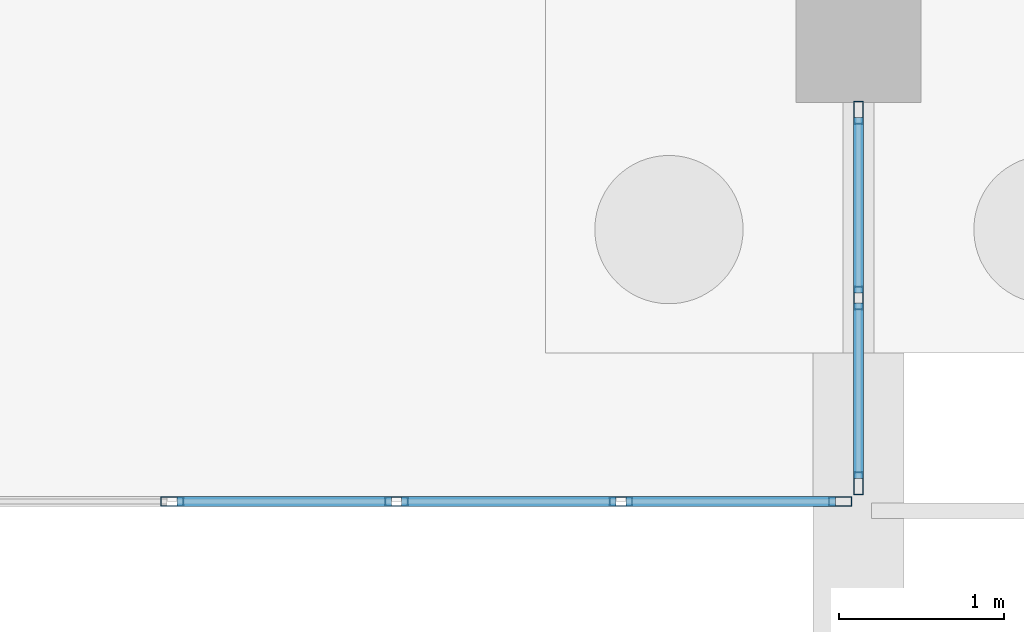
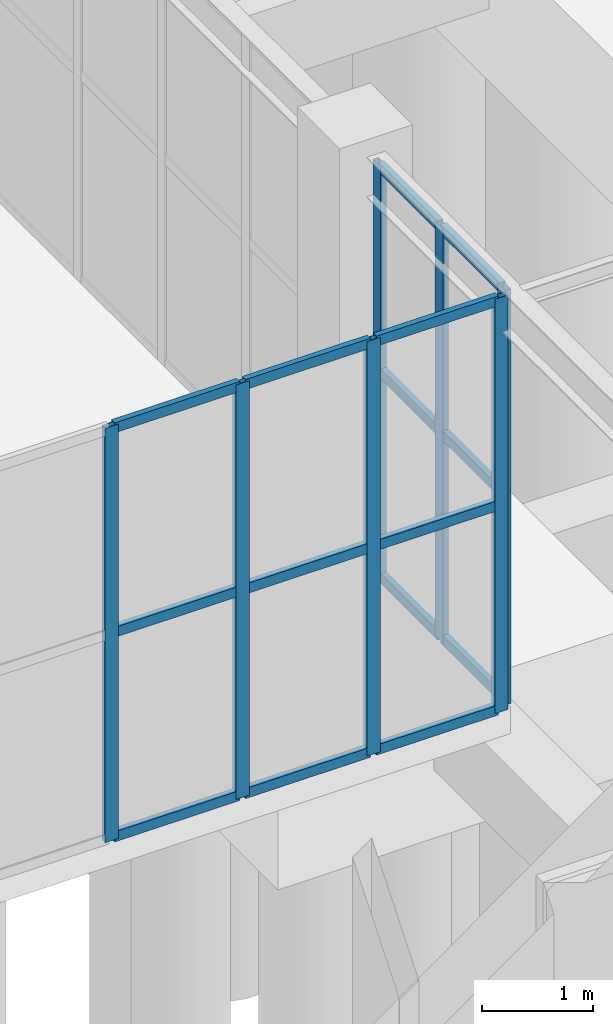
# One storey, part 59 of 192: 22 members, 2 elements without a shape of their own.
"""IFC4 building model written with IfcOpenShell, lengths in metres."""

import ifcopenshell
import ifcopenshell.guid

model = None  # the IFC model being written
_history = None  # IfcOwnerHistory: only IFC2X3 demands one
_inside = {}  # id of a spatial element -> (the spatial element, [elements in it])
_under = {}  # id of a project, library or spatial element -> (it, [spatial elements below it])
_declared = {}  # id of a project -> (the project, [libraries it declares])
_typed = {}  # id of a type object -> (the type object, [elements of that type])
_made_of = {}  # id of a material, layer set ... -> (it, [elements and type objects made of it])


def new_model(schema):
    """Start an empty IFC model of exactly this schema.

    Asked for "IFC4X3", IfcOpenShell would pick the latest addendum, in which some entities
    have other attributes; the version numbers below select the first issue.
    IFC2X3 requires an IfcOwnerHistory on every rooted entity: one is made here for all.
    """
    global model, _history
    if schema == "IFC4X3":
        model = ifcopenshell.file(schema_version=(4, 3, 0, 0))
    else:
        model = ifcopenshell.file(schema=schema)
    _inside.clear()
    _under.clear()
    _declared.clear()
    _typed.clear()
    _made_of.clear()
    _history = None
    if model.schema == "IFC2X3":
        org = make("IfcOrganization", Name="unknown")
        user = make(
            "IfcPersonAndOrganization",
            ThePerson=make("IfcPerson", FamilyName="unknown"),
            TheOrganization=org,
        )
        app = make(
            "IfcApplication",
            ApplicationDeveloper=org,
            Version="unknown",
            ApplicationFullName="unknown",
            ApplicationIdentifier="unknown",
        )
        _history = make(
            "IfcOwnerHistory",
            OwningUser=user,
            OwningApplication=app,
            ChangeAction="ADDED",
            CreationDate=0,
        )
    return model


def make(cls, **values):
    """One entity of the class cls with the attributes given. An attribute that is None is left unset."""
    return model.create_entity(
        cls, **{name: value for name, value in values.items() if value is not None}
    )


def rooted(cls, **values):
    """An entity with a GlobalId (a new one), such as an element, a storey or a relation."""
    return make(cls, GlobalId=ifcopenshell.guid.new(), OwnerHistory=_history, **values)


def si_unit(unit_type, name, prefix=None):
    """IfcSIUnit, for example si_unit("LENGTHUNIT", "METRE", prefix="MILLI")."""
    return make("IfcSIUnit", UnitType=unit_type, Prefix=prefix, Name=name)


def assignment(units):
    """IfcUnitAssignment: the units of a project."""
    return None if units is None else make("IfcUnitAssignment", Units=units)


def point(xyz):
    """IfcCartesianPoint."""
    return None if xyz is None else make("IfcCartesianPoint", Coordinates=xyz)


def direction(xyz):
    """IfcDirection."""
    return None if xyz is None else make("IfcDirection", DirectionRatios=xyz)


def frame(location, z_axis=None, x_axis=None):
    """IfcAxis2Placement3D, a coordinate frame: its origin and axes. An axis left out is left unset."""
    return make(
        "IfcAxis2Placement3D",
        Location=point(location),
        Axis=direction(z_axis),
        RefDirection=direction(x_axis),
    )


def frame_2d(location, x_axis=None):
    """IfcAxis2Placement2D, a coordinate frame in the plane: its origin and x axis."""
    return make(
        "IfcAxis2Placement2D", Location=point(location), RefDirection=direction(x_axis)
    )


def origin():
    """The frame at (0, 0, 0) with its axes left unset."""
    return frame((0.0, 0.0, 0.0))


def origin_2d():
    """The frame at (0, 0) in the plane with its x axis left unset."""
    return frame_2d((0.0, 0.0))


def place(relative_to, where):
    """IfcLocalPlacement: puts the frame where relative to a parent placement (None: the world)."""
    return make(
        "IfcLocalPlacement", PlacementRelTo=relative_to, RelativePlacement=where
    )


def context(
    kind, dimensions, precision=None, world=None, true_north=None, identifier=None
):
    """IfcGeometricRepresentationContext, for example the 3D "Model" context."""
    return make(
        "IfcGeometricRepresentationContext",
        ContextIdentifier=identifier,
        ContextType=kind,
        CoordinateSpaceDimension=dimensions,
        Precision=precision,
        WorldCoordinateSystem=world,
        TrueNorth=true_north,
    )


def subcontext(parent, identifier, kind, view, scale=None):
    """IfcGeometricRepresentationSubContext, for example "Body" below "Model"."""
    return make(
        "IfcGeometricRepresentationSubContext",
        ContextIdentifier=identifier,
        ContextType=kind,
        ParentContext=parent,
        TargetScale=scale,
        TargetView=view,
    )


def project(units=None, contexts=None):
    """IfcProject with its units and contexts."""
    return rooted(
        "IfcProject",
        Name="project",
        RepresentationContexts=contexts,
        UnitsInContext=assignment(units),
    )


def spatial(cls, under=None, at=None, **own):
    """A site, building, storey or space (cls), placed at a placement, below another one or the project."""
    s = rooted(cls, ObjectPlacement=at, **own)
    if under is not None:
        _under.setdefault(under.id(), (under, []))[1].append(s)
    return s


def profile(cls, at=None, kind="AREA", **sizes):
    """A parametric profile (cls). Its sizes go by their IFC names, for example OverallWidth=200.0."""
    return make(cls, ProfileType=kind, Position=at, **sizes)


def hollow_rectangle(**sizes):
    """IfcRectangleHollowProfileDef."""
    return profile("IfcRectangleHollowProfileDef", **sizes)


def extrude(swept, where, along, depth):
    """IfcExtrudedAreaSolid: the profile swept, set in the frame where, extruded along a direction by depth."""
    return make(
        "IfcExtrudedAreaSolid",
        SweptArea=swept,
        Position=where,
        ExtrudedDirection=direction(along),
        Depth=depth,
    )


def shape(context_of_items, identifier, shape_type, items):
    """IfcShapeRepresentation: the items that make up one representation, for example the "Body"."""
    return make(
        "IfcShapeRepresentation",
        ContextOfItems=context_of_items,
        RepresentationIdentifier=identifier,
        RepresentationType=shape_type,
        Items=items,
    )


def material(Name=None, Category=None):
    """IfcMaterial."""
    return make("IfcMaterial", Name=Name, Category=Category)


def layer(
    of_material, thickness, ventilated=None, Name=None, Category=None, Priority=None
):
    """IfcMaterialLayer: one layer of a wall or slab, of a material (None: an air gap)."""
    return make(
        "IfcMaterialLayer",
        Material=of_material,
        LayerThickness=thickness,
        IsVentilated=ventilated,
        Name=Name,
        Category=Category,
        Priority=Priority,
    )


def layer_set(layers, Name=None):
    """IfcMaterialLayerSet."""
    return make("IfcMaterialLayerSet", MaterialLayers=layers, LayerSetName=Name)


def material_profile(
    of_material, cross_section, Name=None, Category=None, Priority=None
):
    """IfcMaterialProfile: a cross section and its material."""
    return make(
        "IfcMaterialProfile",
        Name=Name,
        Material=of_material,
        Profile=cross_section,
        Priority=Priority,
        Category=Category,
    )


def profile_set(profiles, Name=None, composite=None):
    """IfcMaterialProfileSet."""
    return make(
        "IfcMaterialProfileSet",
        Name=Name,
        MaterialProfiles=profiles,
        CompositeProfile=composite,
    )


def made_of(thing, what):
    """Note that an element or type object is made of a material, layer set ...; save() writes the relation."""
    if what is not None:
        _made_of.setdefault(what.id(), (what, []))[1].append(thing)
    return thing


def type_object(cls, material=None, **own):
    """A type object (cls), such as IfcWallType, which elements share."""
    return made_of(rooted(cls, **own), material)


def element(
    cls,
    number,
    at=None,
    inside=None,
    cuts=None,
    type_object=None,
    material=None,
    context=None,
    identifier="Body",
    shape_type=None,
    held_by="IfcProductDefinitionShape",
    body=None,
    shapes=None,
    **own,
):
    """One element of the class cls, such as IfcWall. Its Tag is "e" and its number.

    at: its placement. inside: the storey or other place that contains it. cuts: it is an
    opening in that element (IfcRelVoidsElement). A single representation is given by context,
    identifier, shape_type and body (its items); several are given by shapes. held_by: the class
    of the entity that holds the representations. save() writes the other relations.
    """
    e = rooted(cls, Tag="e%d" % number, ObjectPlacement=at, **own)
    if body is not None:
        shapes = [shape(context, identifier, shape_type, body)]
    if shapes is not None:
        e.Representation = make(held_by, Representations=shapes)
    if inside is not None:
        _inside.setdefault(inside.id(), (inside, []))[1].append(e)
    if cuts is not None:
        rooted(
            "IfcRelVoidsElement", RelatingBuildingElement=cuts, RelatedOpeningElement=e
        )
    if type_object is not None:
        _typed.setdefault(type_object.id(), (type_object, []))[1].append(e)
    return made_of(e, material)


def aggregate(whole, parts):
    """IfcRelAggregates: a whole, such as a stair, and the parts it consists of."""
    return rooted("IfcRelAggregates", RelatingObject=whole, RelatedObjects=parts)


def save(model, path):
    """Write the relations noted so far, then the file.

    IfcRelAggregates (storeys below a building ...), IfcRelContainedInSpatialStructure (elements
    in a storey), IfcRelDefinesByType, IfcRelAssociatesMaterial and IfcRelDeclares: one each for
    every whole, place, type object, material and project.
    """
    for whole, parts in _under.values():
        aggregate(whole, parts)
    for where, things in _inside.values():
        rooted(
            "IfcRelContainedInSpatialStructure",
            RelatedElements=things,
            RelatingStructure=where,
        )
    for kind, things in _typed.values():
        rooted("IfcRelDefinesByType", RelatedObjects=things, RelatingType=kind)
    for what, things in _made_of.values():
        rooted("IfcRelAssociatesMaterial", RelatedObjects=things, RelatingMaterial=what)
    for by, libraries in _declared.values():
        rooted("IfcRelDeclares", RelatingContext=by, RelatedDefinitions=libraries)
    model.write(path)


model = new_model("IFC4")

# Units and contexts
model_context = context("Model", 3, precision=1e-05, world=origin(), true_north=direction((0.0, 1.0)))
body_context = subcontext(model_context, "Body", "Model", "MODEL_VIEW")
ifc_project = project(units=[si_unit("LENGTHUNIT", "METRE"), si_unit("AREAUNIT", "SQUARE_METRE"), si_unit("VOLUMEUNIT", "CUBIC_METRE"), si_unit("PLANEANGLEUNIT", "RADIAN"), si_unit("MASSUNIT", "GRAM", prefix="KILO")], contexts=[model_context])

# Site, building, storey
site_placement = place(None, origin())
site = spatial("IfcSite", under=ifc_project, at=site_placement, CompositionType="ELEMENT")
building_placement = place(site_placement, origin())
building = spatial("IfcBuilding", under=site, at=building_placement, Name="Trelvath General Hospital", CompositionType="ELEMENT")
storey_placement = place(building_placement, origin())
storey = spatial("IfcBuildingStorey", under=building, at=storey_placement, Name="L00", CompositionType="ELEMENT", Elevation=0.0)

# Curtain wall, members
ifc_material_1 = material(Name="Anodised aluminium and low-E glass", Category="aluminium")
ifc_layer_1 = layer(ifc_material_1, 0.139892578125)
ifc_layer_set_1 = layer_set([ifc_layer_1], Name="Anodised aluminium and low-E glass")
curtain_wall_type_1 = type_object("IfcCurtainWallType", Name="CW CrystalCube 817 456 14", PredefinedType="USERDEFINED", material=ifc_layer_set_1)
curtain_wall_1_placement = place(storey_placement, origin())
curtain_wall_1 = element("IfcCurtainWall", 1, at=curtain_wall_1_placement, inside=storey, type_object=curtain_wall_type_1, Name="Crystal Cube Curtain Wall CUBE-W-T0 S5 L00", ObjectType="Unitised Glazed Curtain Wall", PredefinedType="USERDEFINED")
ifc_material_2 = material(Name="Anodised aluminium", Category="aluminium")
ifc_material_profile_1 = material_profile(ifc_material_2, hollow_rectangle(XDim=0.06005859375, YDim=0.139892578125, WallThickness=0.00390625, at=origin_2d()), Name="RHS60x140x4")
ifc_profile_set_1 = profile_set([ifc_material_profile_1], Name="Anodised aluminium")
member_type_1 = type_object("IfcMemberType", Name="CurtainMullion 60x140", PredefinedType="MULLION", material=ifc_profile_set_1)
member_1_placement = place(storey_placement, frame((75.489990234375, 30.800048828125, 0.0), z_axis=(0.0, 0.0, 1.0), x_axis=(0.0, -1.0, 0.0)))
member_1 = element("IfcMember", 2, at=member_1_placement, type_object=member_type_1, Name="CW-088 mullion 1", PredefinedType="MULLION", context=body_context, shape_type="SweptSolid", body=[
    extrude(hollow_rectangle(XDim=0.06005859375, YDim=0.139892578125, WallThickness=0.00390625, at=origin_2d()), origin(), (0.0, 0.0, 1.0), 4.56005859375),
])
member_2_placement = place(storey_placement, frame((74.158447265625, 30.800048828125, 0.0), z_axis=(0.0, 0.0, 1.0), x_axis=(0.0, -1.0, 0.0)))
member_2 = element("IfcMember", 3, at=member_2_placement, type_object=member_type_1, Name="CW-088 mullion 2", PredefinedType="MULLION", context=body_context, shape_type="SweptSolid", body=[
    extrude(hollow_rectangle(XDim=0.06005859375, YDim=0.139892578125, WallThickness=0.00390625, at=origin_2d()), origin(), (0.0, 0.0, 1.0), 4.56005859375),
])
member_3_placement = place(storey_placement, frame((72.796630859375, 30.800048828125, 0.0), z_axis=(0.0, 0.0, 1.0), x_axis=(0.0, -1.0, 0.0)))
member_3 = element("IfcMember", 4, at=member_3_placement, type_object=member_type_1, Name="CW-088 mullion 3", PredefinedType="MULLION", context=body_context, shape_type="SweptSolid", body=[
    extrude(hollow_rectangle(XDim=0.06005859375, YDim=0.139892578125, WallThickness=0.00390625, at=origin_2d()), origin(), (0.0, 0.0, 1.0), 4.56005859375),
])
member_4_placement = place(storey_placement, frame((71.43505859375, 30.800048828125, 0.0), z_axis=(0.0, 0.0, 1.0), x_axis=(0.0, -1.0, 0.0)))
member_4 = element("IfcMember", 5, at=member_4_placement, type_object=member_type_1, Name="CW-088 mullion 4", PredefinedType="MULLION", context=body_context, shape_type="SweptSolid", body=[
    extrude(hollow_rectangle(XDim=0.06005859375, YDim=0.139892578125, WallThickness=0.00390625, at=origin_2d()), origin(), (0.0, 0.0, 1.0), 4.56005859375),
])

ifc_material_3 = material(Name="Anodised aluminium and low-E glass", Category="aluminium")
ifc_layer_2 = layer(ifc_material_3, 0.139892578125)
ifc_layer_set_2 = layer_set([ifc_layer_2], Name="Anodised aluminium and low-E glass")
curtain_wall_type_2 = type_object("IfcCurtainWallType", Name="CW CrystalCube 231 456 14", PredefinedType="USERDEFINED", material=ifc_layer_set_2)
curtain_wall_2_placement = place(storey_placement, origin())
curtain_wall_2 = element("IfcCurtainWall", 6, at=curtain_wall_2_placement, inside=storey, type_object=curtain_wall_type_2, Name="Crystal Cube Curtain Wall CUBE-W-T0 E1 L00", ObjectType="Unitised Glazed Curtain Wall", PredefinedType="USERDEFINED")
member_5_placement = place(storey_placement, frame((75.60009765625, 33.159912109375, 0.0), z_axis=(0.0, 0.0, 1.0), x_axis=(1.0, 0.0, 0.0)))
member_5 = element("IfcMember", 7, at=member_5_placement, type_object=member_type_1, Name="CW-095 mullion 1", PredefinedType="MULLION", context=body_context, shape_type="SweptSolid", body=[
    extrude(hollow_rectangle(XDim=0.06005859375, YDim=0.139892578125, WallThickness=0.00390625, at=origin_2d()), origin(), (0.0, 0.0, 1.0), 4.56005859375),
])
member_6_placement = place(storey_placement, frame((75.60009765625, 32.034912109375, 0.0), z_axis=(0.0, 0.0, 1.0), x_axis=(1.0, 0.0, 0.0)))
member_6 = element("IfcMember", 8, at=member_6_placement, type_object=member_type_1, Name="CW-095 mullion 2", PredefinedType="MULLION", context=body_context, shape_type="SweptSolid", body=[
    extrude(hollow_rectangle(XDim=0.06005859375, YDim=0.139892578125, WallThickness=0.00390625, at=origin_2d()), origin(), (0.0, 0.0, 1.0), 4.56005859375),
])
member_7_placement = place(storey_placement, frame((75.60009765625, 30.909912109375, 0.0), z_axis=(0.0, 0.0, 1.0), x_axis=(1.0, 0.0, 0.0)))
member_7 = element("IfcMember", 9, at=member_7_placement, type_object=member_type_1, Name="CW-095 mullion 3", PredefinedType="MULLION", context=body_context, shape_type="SweptSolid", body=[
    extrude(hollow_rectangle(XDim=0.06005859375, YDim=0.139892578125, WallThickness=0.00390625, at=origin_2d()), origin(), (0.0, 0.0, 1.0), 4.56005859375),
])

# Member
ifc_material_4 = material(Name="Anodised aluminium", Category="aluminium")
ifc_material_profile_2 = material_profile(ifc_material_4, hollow_rectangle(XDim=0.06005859375, YDim=0.110107421875, WallThickness=0.00390625, at=origin_2d()), Name="RHS60x110x4")
ifc_profile_set_2 = profile_set([ifc_material_profile_2], Name="Anodised aluminium")
member_type_2 = type_object("IfcMemberType", Name="CurtainTransom 60x110", PredefinedType="USERDEFINED", material=ifc_profile_set_2)
member_8_placement = place(storey_placement, frame((75.4599609375, 30.800048828125, 0.030029296875), z_axis=(-1.0, 0.0, 0.0), x_axis=(0.0, -1.0, 0.0)))
member_8 = element("IfcMember", 10, at=member_8_placement, type_object=member_type_2, Name="CW-088 transom 1.1", ObjectType="TRANSOM", PredefinedType="USERDEFINED", context=body_context, shape_type="SweptSolid", body=[
    extrude(hollow_rectangle(XDim=0.06005859375, YDim=0.110107421875, WallThickness=0.00390625, at=origin_2d()), origin(), (0.0, 0.0, 1.0), 1.271728515625),
])

member_9_placement = place(storey_placement, frame((75.4599609375, 30.800048828125, 2.280029296875), z_axis=(-1.0, 0.0, 0.0), x_axis=(0.0, -1.0, 0.0)))
member_9 = element("IfcMember", 11, at=member_9_placement, type_object=member_type_2, Name="CW-088 transom 1.2", ObjectType="TRANSOM", PredefinedType="USERDEFINED", context=body_context, shape_type="SweptSolid", body=[
    extrude(hollow_rectangle(XDim=0.06005859375, YDim=0.110107421875, WallThickness=0.00390625, at=origin_2d()), origin(), (0.0, 0.0, 1.0), 1.271728515625),
])

member_10_placement = place(storey_placement, frame((75.4599609375, 30.800048828125, 4.530029296875), z_axis=(-1.0, 0.0, 0.0), x_axis=(0.0, -1.0, 0.0)))
member_10 = element("IfcMember", 12, at=member_10_placement, type_object=member_type_2, Name="CW-088 transom 1.3", ObjectType="TRANSOM", PredefinedType="USERDEFINED", context=body_context, shape_type="SweptSolid", body=[
    extrude(hollow_rectangle(XDim=0.06005859375, YDim=0.110107421875, WallThickness=0.00390625, at=origin_2d()), origin(), (0.0, 0.0, 1.0), 1.271728515625),
])

member_11_placement = place(storey_placement, frame((74.12841796875, 30.800048828125, 0.030029296875), z_axis=(-1.0, 0.0, 0.0), x_axis=(0.0, -1.0, 0.0)))
member_11 = element("IfcMember", 13, at=member_11_placement, type_object=member_type_2, Name="CW-088 transom 2.1", ObjectType="TRANSOM", PredefinedType="USERDEFINED", context=body_context, shape_type="SweptSolid", body=[
    extrude(hollow_rectangle(XDim=0.06005859375, YDim=0.110107421875, WallThickness=0.00390625, at=origin_2d()), origin(), (0.0, 0.0, 1.0), 1.3017578125),
])

member_12_placement = place(storey_placement, frame((74.12841796875, 30.800048828125, 2.280029296875), z_axis=(-1.0, 0.0, 0.0), x_axis=(0.0, -1.0, 0.0)))
member_12 = element("IfcMember", 14, at=member_12_placement, type_object=member_type_2, Name="CW-088 transom 2.2", ObjectType="TRANSOM", PredefinedType="USERDEFINED", context=body_context, shape_type="SweptSolid", body=[
    extrude(hollow_rectangle(XDim=0.06005859375, YDim=0.110107421875, WallThickness=0.00390625, at=origin_2d()), origin(), (0.0, 0.0, 1.0), 1.3017578125),
])

member_13_placement = place(storey_placement, frame((74.12841796875, 30.800048828125, 4.530029296875), z_axis=(-1.0, 0.0, 0.0), x_axis=(0.0, -1.0, 0.0)))
member_13 = element("IfcMember", 15, at=member_13_placement, type_object=member_type_2, Name="CW-088 transom 2.3", ObjectType="TRANSOM", PredefinedType="USERDEFINED", context=body_context, shape_type="SweptSolid", body=[
    extrude(hollow_rectangle(XDim=0.06005859375, YDim=0.110107421875, WallThickness=0.00390625, at=origin_2d()), origin(), (0.0, 0.0, 1.0), 1.3017578125),
])

member_14_placement = place(storey_placement, frame((72.7666015625, 30.800048828125, 0.030029296875), z_axis=(-1.0, 0.0, 0.0), x_axis=(0.0, -1.0, 0.0)))
member_14 = element("IfcMember", 16, at=member_14_placement, type_object=member_type_2, Name="CW-088 transom 3.1", ObjectType="TRANSOM", PredefinedType="USERDEFINED", context=body_context, shape_type="SweptSolid", body=[
    extrude(hollow_rectangle(XDim=0.06005859375, YDim=0.110107421875, WallThickness=0.00390625, at=origin_2d()), origin(), (0.0, 0.0, 1.0), 1.301513671875),
])

member_15_placement = place(storey_placement, frame((72.7666015625, 30.800048828125, 2.280029296875), z_axis=(-1.0, 0.0, 0.0), x_axis=(0.0, -1.0, 0.0)))
member_15 = element("IfcMember", 17, at=member_15_placement, type_object=member_type_2, Name="CW-088 transom 3.2", ObjectType="TRANSOM", PredefinedType="USERDEFINED", context=body_context, shape_type="SweptSolid", body=[
    extrude(hollow_rectangle(XDim=0.06005859375, YDim=0.110107421875, WallThickness=0.00390625, at=origin_2d()), origin(), (0.0, 0.0, 1.0), 1.301513671875),
])

member_16_placement = place(storey_placement, frame((72.7666015625, 30.800048828125, 4.530029296875), z_axis=(-1.0, 0.0, 0.0), x_axis=(0.0, -1.0, 0.0)))
member_16 = element("IfcMember", 18, at=member_16_placement, type_object=member_type_2, Name="CW-088 transom 3.3", ObjectType="TRANSOM", PredefinedType="USERDEFINED", context=body_context, shape_type="SweptSolid", body=[
    extrude(hollow_rectangle(XDim=0.06005859375, YDim=0.110107421875, WallThickness=0.00390625, at=origin_2d()), origin(), (0.0, 0.0, 1.0), 1.301513671875),
])

aggregate(curtain_wall_1, [member_1, member_2, member_3, member_4, member_8, member_9, member_10, member_11, member_12, member_13, member_14, member_15, member_16])

member_17_placement = place(storey_placement, frame((75.60009765625, 33.1298828125, 0.030029296875), z_axis=(0.0, -1.0, 0.0), x_axis=(1.0, 0.0, 0.0)))
member_17 = element("IfcMember", 19, at=member_17_placement, type_object=member_type_2, Name="CW-095 transom 1.1", ObjectType="TRANSOM", PredefinedType="USERDEFINED", context=body_context, shape_type="SweptSolid", body=[
    extrude(hollow_rectangle(XDim=0.06005859375, YDim=0.110107421875, WallThickness=0.00390625, at=origin_2d()), origin(), (0.0, 0.0, 1.0), 1.06494140625),
])

member_18_placement = place(storey_placement, frame((75.60009765625, 33.1298828125, 2.280029296875), z_axis=(0.0, -1.0, 0.0), x_axis=(1.0, 0.0, 0.0)))
member_18 = element("IfcMember", 20, at=member_18_placement, type_object=member_type_2, Name="CW-095 transom 1.2", ObjectType="TRANSOM", PredefinedType="USERDEFINED", context=body_context, shape_type="SweptSolid", body=[
    extrude(hollow_rectangle(XDim=0.06005859375, YDim=0.110107421875, WallThickness=0.00390625, at=origin_2d()), origin(), (0.0, 0.0, 1.0), 1.06494140625),
])

member_19_placement = place(storey_placement, frame((75.60009765625, 33.1298828125, 4.530029296875), z_axis=(0.0, -1.0, 0.0), x_axis=(1.0, 0.0, 0.0)))
member_19 = element("IfcMember", 21, at=member_19_placement, type_object=member_type_2, Name="CW-095 transom 1.3", ObjectType="TRANSOM", PredefinedType="USERDEFINED", context=body_context, shape_type="SweptSolid", body=[
    extrude(hollow_rectangle(XDim=0.06005859375, YDim=0.110107421875, WallThickness=0.00390625, at=origin_2d()), origin(), (0.0, 0.0, 1.0), 1.06494140625),
])

member_20_placement = place(storey_placement, frame((75.60009765625, 32.0048828125, 0.030029296875), z_axis=(0.0, -1.0, 0.0), x_axis=(1.0, 0.0, 0.0)))
member_20 = element("IfcMember", 22, at=member_20_placement, type_object=member_type_2, Name="CW-095 transom 2.1", ObjectType="TRANSOM", PredefinedType="USERDEFINED", context=body_context, shape_type="SweptSolid", body=[
    extrude(hollow_rectangle(XDim=0.06005859375, YDim=0.110107421875, WallThickness=0.00390625, at=origin_2d()), origin(), (0.0, 0.0, 1.0), 1.06494140625),
])

member_21_placement = place(storey_placement, frame((75.60009765625, 32.0048828125, 2.280029296875), z_axis=(0.0, -1.0, 0.0), x_axis=(1.0, 0.0, 0.0)))
member_21 = element("IfcMember", 23, at=member_21_placement, type_object=member_type_2, Name="CW-095 transom 2.2", ObjectType="TRANSOM", PredefinedType="USERDEFINED", context=body_context, shape_type="SweptSolid", body=[
    extrude(hollow_rectangle(XDim=0.06005859375, YDim=0.110107421875, WallThickness=0.00390625, at=origin_2d()), origin(), (0.0, 0.0, 1.0), 1.06494140625),
])

member_22_placement = place(storey_placement, frame((75.60009765625, 32.0048828125, 4.530029296875), z_axis=(0.0, -1.0, 0.0), x_axis=(1.0, 0.0, 0.0)))
member_22 = element("IfcMember", 24, at=member_22_placement, type_object=member_type_2, Name="CW-095 transom 2.3", ObjectType="TRANSOM", PredefinedType="USERDEFINED", context=body_context, shape_type="SweptSolid", body=[
    extrude(hollow_rectangle(XDim=0.06005859375, YDim=0.110107421875, WallThickness=0.00390625, at=origin_2d()), origin(), (0.0, 0.0, 1.0), 1.06494140625),
])

aggregate(curtain_wall_2, [member_5, member_6, member_7, member_17, member_18, member_19, member_20, member_21, member_22])

save(model, "model.ifc")
